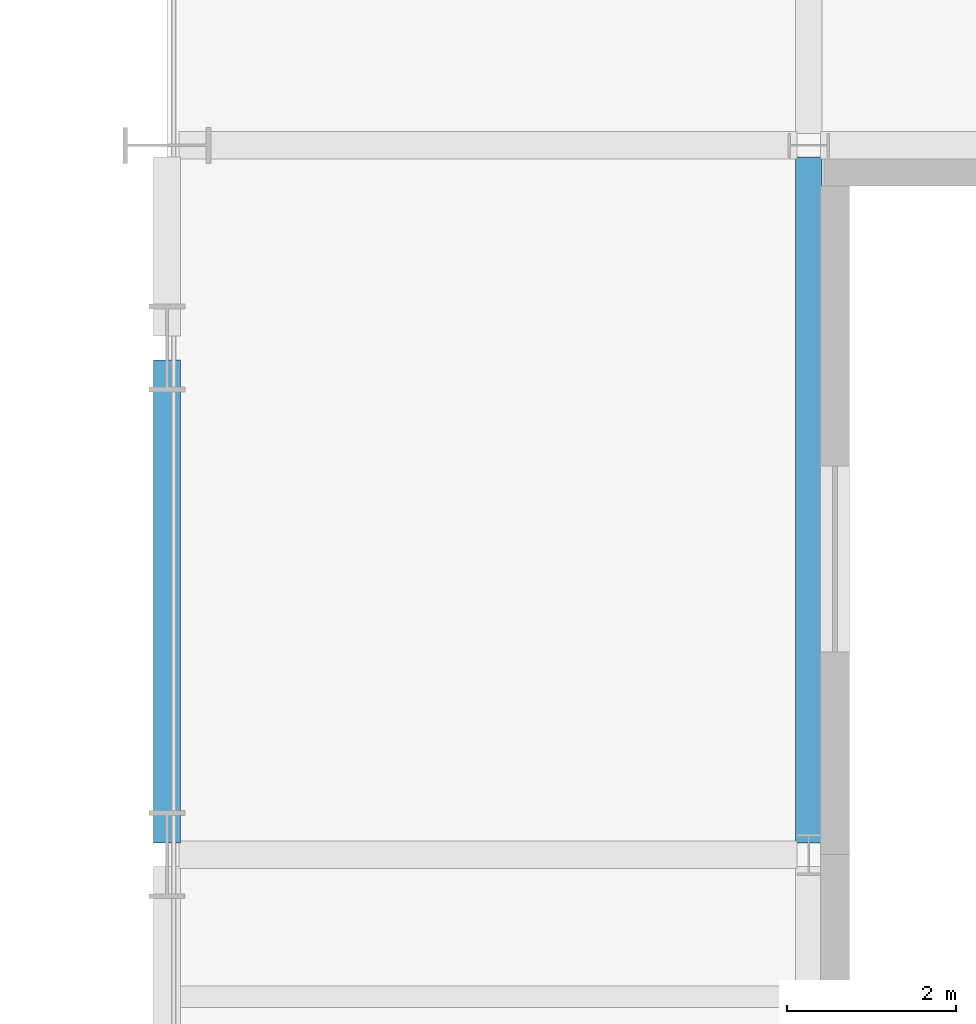
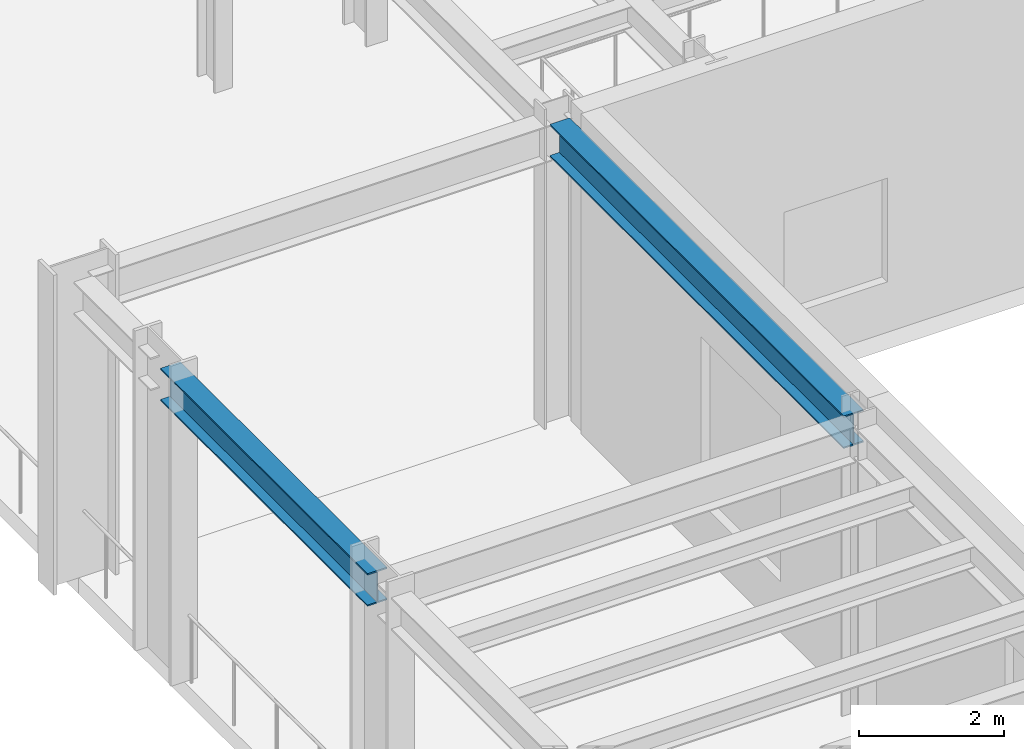
# One storey, part 28 of 98: 2 beams.
"""IFC4 building model written with IfcOpenShell, lengths in metres."""

from ifc_helpers import new_model, si_unit, direction, frame, origin, origin_2d, place, context, subcontext, project, spatial, i_section, extrude, material, material_profile, profile_set, type_object, element, save


model = new_model("IFC4")

# Units and contexts
model_context = context("Model", 3, precision=1e-05, world=origin(), true_north=direction((0.0, 1.0)))
body_context = subcontext(model_context, "Body", "Model", "MODEL_VIEW")
ifc_project = project(units=[si_unit("LENGTHUNIT", "METRE"), si_unit("AREAUNIT", "SQUARE_METRE"), si_unit("VOLUMEUNIT", "CUBIC_METRE"), si_unit("PLANEANGLEUNIT", "RADIAN"), si_unit("MASSUNIT", "GRAM", prefix="KILO")], contexts=[model_context])

# Site, building, storey
site_placement = place(None, origin())
site = spatial("IfcSite", under=ifc_project, at=site_placement, CompositionType="ELEMENT")
building_placement = place(site_placement, origin())
building = spatial("IfcBuilding", under=site, at=building_placement, Name="Sollismere Congress Hotel", CompositionType="ELEMENT")
storey_placement = place(building_placement, frame((0.0, 0.0, 5.39990234375)))
storey = spatial("IfcBuildingStorey", under=building, at=storey_placement, Name="L01", CompositionType="ELEMENT", Elevation=5.39990234375)

# Beams
ifc_material = material(Name="Steel ASTM A992 Grade 50", Category="steel")
ifc_material_profile = material_profile(ifc_material, i_section(OverallWidth=0.31494140625, OverallDepth=0.551025390625, WebThickness=0.01513671875, FlangeThickness=0.0244140625, at=origin_2d()), Name="W21X122")
ifc_profile_set = profile_set([ifc_material_profile], Name="Steel ASTM A992 Grade 50")
beam_type = type_object("IfcBeamType", Name="BM-G21H", PredefinedType="BEAM", material=ifc_profile_set)
beam_1_placement = place(storey_placement, frame((50.39990234375, 58.5400390625, 4.844482421875), z_axis=(0.0, 1.0, 0.0), x_axis=(-1.0, 0.0, 0.0)))
element("IfcBeam", 1, at=beam_1_placement, inside=storey, type_object=beam_type, Name="Beam BM-L01-1644", PredefinedType="BEAM", context=body_context, shape_type="SweptSolid", body=[
    extrude(i_section(OverallWidth=0.31494140625, OverallDepth=0.551025390625, WebThickness=0.01513671875, FlangeThickness=0.0244140625, at=origin_2d()), origin(), (0.0, 0.0, 1.0), 5.719970703125),
])
beam_2_placement = place(storey_placement, frame((58.0, 58.5400390625, 4.844482421875), z_axis=(0.0, 1.0, 0.0), x_axis=(-1.0, 0.0, 0.0)))
element("IfcBeam", 2, at=beam_2_placement, inside=storey, type_object=beam_type, Name="Beam BM-L01-1651", PredefinedType="BEAM", context=body_context, shape_type="SweptSolid", body=[
    extrude(i_section(OverallWidth=0.31494140625, OverallDepth=0.551025390625, WebThickness=0.01513671875, FlangeThickness=0.0244140625, at=origin_2d()), origin(), (0.0, 0.0, 1.0), 8.119873046875),
])

save(model, "model.ifc")
